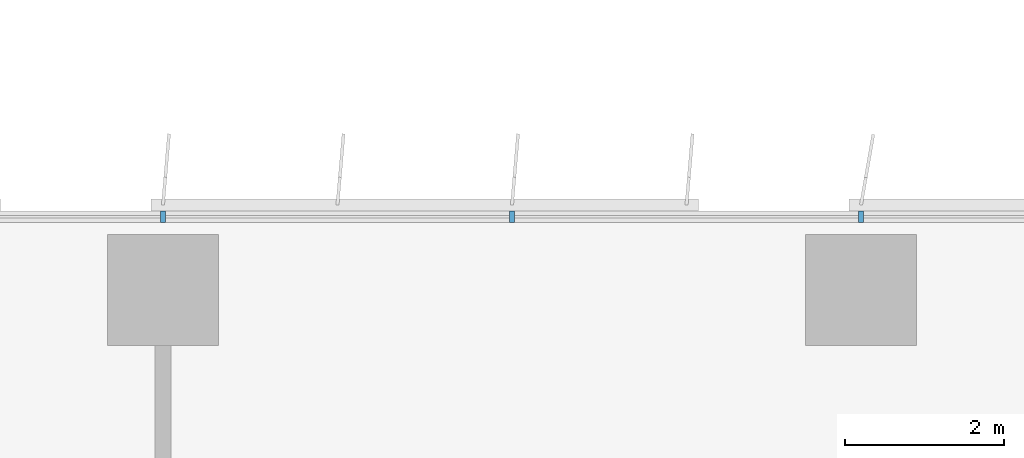
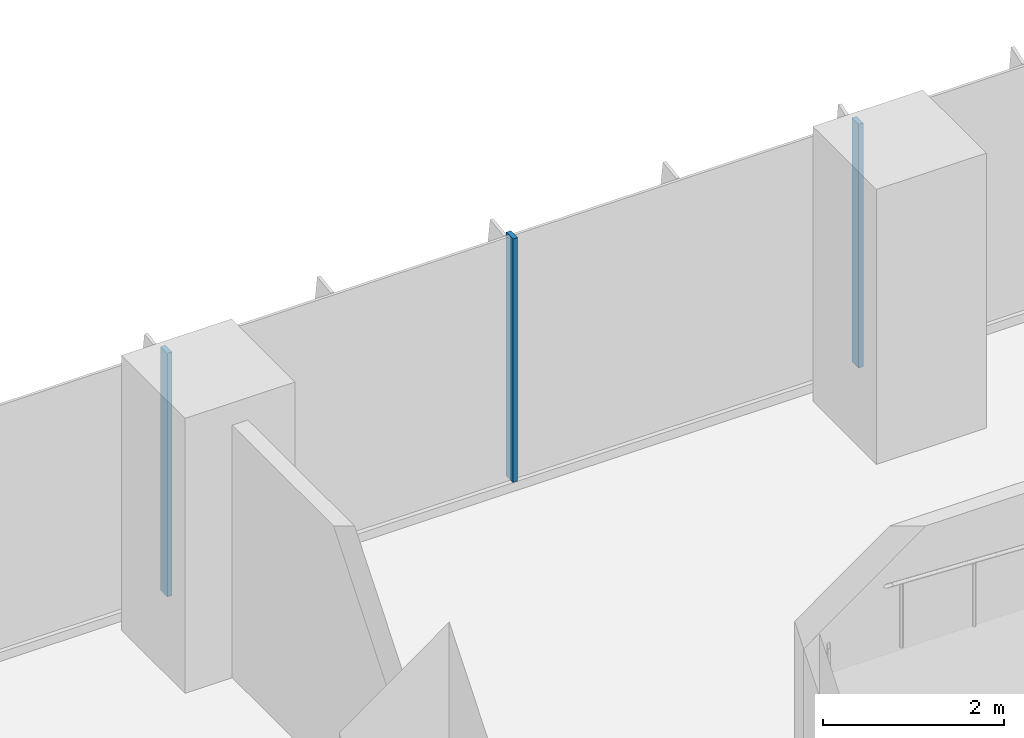
# One storey, part 4 of 24: 3 members, 1 element without a shape of its own.
"""IFC4 building model written with IfcOpenShell, lengths in metres."""

from ifc_helpers import new_model, si_unit, direction, frame, origin, origin_2d, place, context, subcontext, project, spatial, rectangle, extrude, source, transform, mapped, material, material_profile, profile_set, type_object, element, aggregate, save


model = new_model("IFC4")

# Units and contexts
model_context = context("Model", 3, precision=1e-05, world=origin(), true_north=direction((0.0, 1.0)))
body_context = subcontext(model_context, "Body", "Model", "MODEL_VIEW")
ifc_project = project(units=[si_unit("LENGTHUNIT", "METRE"), si_unit("AREAUNIT", "SQUARE_METRE"), si_unit("VOLUMEUNIT", "CUBIC_METRE"), si_unit("PLANEANGLEUNIT", "RADIAN"), si_unit("MASSUNIT", "GRAM", prefix="KILO")], contexts=[model_context])

# Site, building, storey
site_placement = place(None, origin())
site = spatial("IfcSite", under=ifc_project, at=site_placement, CompositionType="ELEMENT")
building_placement = place(site_placement, origin())
building = spatial("IfcBuilding", under=site, at=building_placement, Name="Kemantara Hotel Tower", CompositionType="ELEMENT")
storey_placement = place(building_placement, frame((0.0, 0.0, 41.39990234375)))
storey = spatial("IfcBuildingStorey", under=building, at=storey_placement, Name="L08", CompositionType="ELEMENT", Elevation=41.39990234375)

# Curtain wall, members
ifc_material_1 = material(Name="Low-E tinted double insulated glass 36 mm", Category="glass")
curtain_wall_type = type_object("IfcCurtainWallType", Name="TOWER CURTAIN WALL, FRONT FACES", PredefinedType="USERDEFINED", material=ifc_material_1)
curtain_wall_placement = place(storey_placement, origin())
curtain_wall = element("IfcCurtainWall", 1, at=curtain_wall_placement, inside=storey, type_object=curtain_wall_type, Name="CW4 L08 T1-R07-1", ObjectType="TOWER CURTAIN WALL, FRONT FACES", PredefinedType="USERDEFINED")
ifc_material_2 = material(Name="Aluminium 6063-T6 bronze anodised", Category="aluminium")
ifc_material_profile = material_profile(ifc_material_2, rectangle(XDim=0.14990234375, YDim=0.06005859375, at=origin_2d()), Name="TOWER CURTAIN WALL, FRONT FACES MULLION")
ifc_profile_set = profile_set([ifc_material_profile], Name="Aluminium 6063-T6 bronze anodised")
member_type = type_object("IfcMemberType", Name="TOWER CURTAIN WALL, FRONT FACES MULLION", PredefinedType="MULLION", material=ifc_profile_set)
shared_shape = source(origin(), body_context, "Body", "SweptSolid", [
    extrude(rectangle(XDim=0.14990234375, YDim=0.06005859375, at=origin_2d()), origin(), (0.0, 0.0, 1.0), 3.280029296875),
])
member_1_placement = place(storey_placement, frame((62.60009765625, 26.72509765625, 0.1201171875), z_axis=(0.0, 0.0, 1.0), x_axis=(0.0, -1.0, 0.0)))
member_1 = element("IfcMember", 2, at=member_1_placement, type_object=member_type, Name="CW4 mullion T1-R07-1.5", PredefinedType="MULLION", context=body_context, shape_type="MappedRepresentation", body=[
    mapped(shared_shape, transform((0.0, 0.0, 0.0))),
])
member_2_placement = place(storey_placement, frame((58.199951171875, 26.72509765625, 0.1201171875), z_axis=(0.0, 0.0, 1.0), x_axis=(0.0, -1.0, 0.0)))
member_2 = element("IfcMember", 3, at=member_2_placement, type_object=member_type, Name="CW4 mullion T1-R07-1.6", PredefinedType="MULLION", context=body_context, shape_type="MappedRepresentation", body=[
    mapped(shared_shape, transform((0.0, 0.0, 0.0))),
])
member_3_placement = place(storey_placement, frame((53.800048828125, 26.72509765625, 0.1201171875), z_axis=(0.0, 0.0, 1.0), x_axis=(0.0, -1.0, 0.0)))
member_3 = element("IfcMember", 4, at=member_3_placement, type_object=member_type, Name="CW4 mullion T1-R07-1.7", PredefinedType="MULLION", context=body_context, shape_type="MappedRepresentation", body=[
    mapped(shared_shape, transform((0.0, 0.0, 0.0))),
])
aggregate(curtain_wall, [member_1, member_2, member_3])

save(model, "model.ifc")
